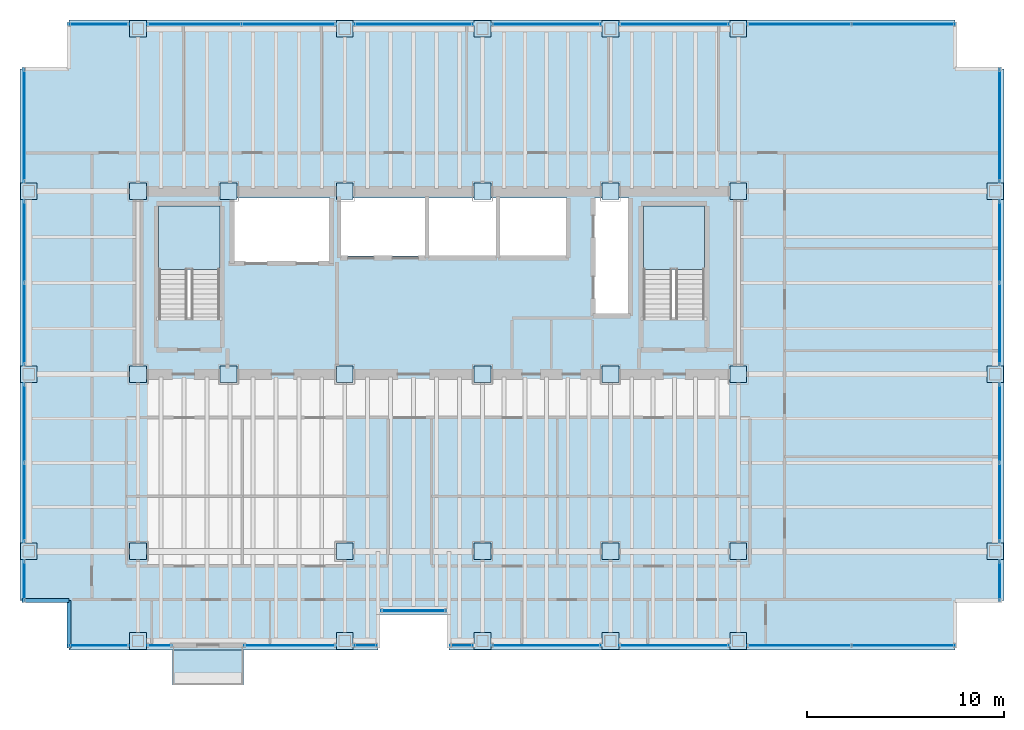
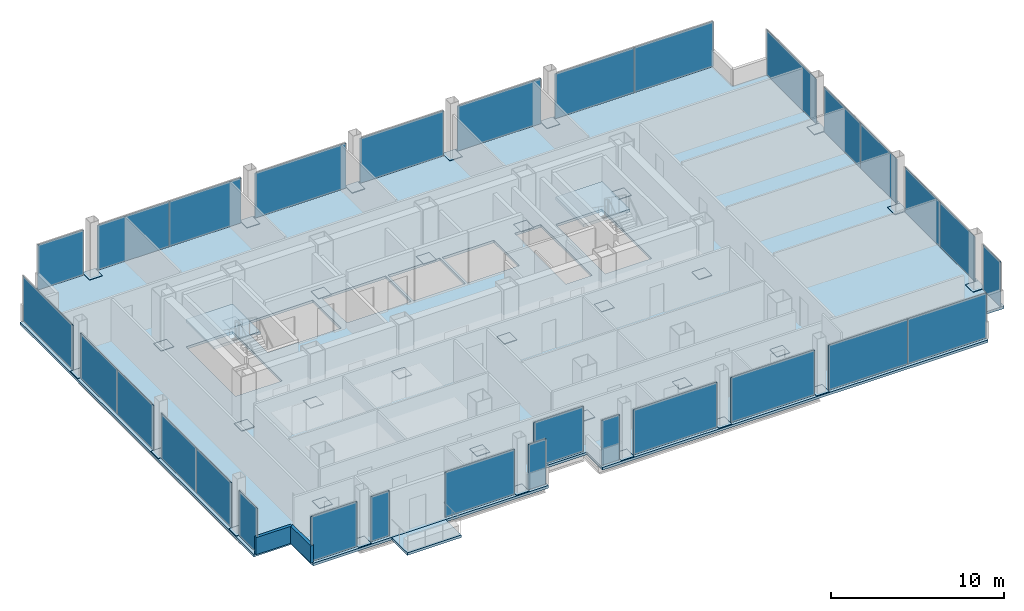
# One storey, part 16 of 20: 63 plates, 4 slabs, 2 walls, 7 openings, 25 elements without a shape of their own.
"""IFC4 building model written with IfcOpenShell, lengths in metres."""

from ifc_helpers import new_model, si_unit, direction, frame, frame_2d, origin, origin_2d, place, context, subcontext, project, spatial, polyline, rectangle, outline, extrude, material, layer, layer_set, type_object, element, aggregate, save


model = new_model("IFC4")

# Units and contexts
model_context = context("Model", 3, precision=1e-05, world=origin(), true_north=direction((0.0, 1.0)))
body_context = subcontext(model_context, "Body", "Model", "MODEL_VIEW")
ifc_project = project(units=[si_unit("LENGTHUNIT", "METRE"), si_unit("AREAUNIT", "SQUARE_METRE"), si_unit("VOLUMEUNIT", "CUBIC_METRE"), si_unit("PLANEANGLEUNIT", "RADIAN"), si_unit("MASSUNIT", "GRAM", prefix="KILO")], contexts=[model_context])

# Site, building, storey
site_placement = place(None, origin())
site = spatial("IfcSite", under=ifc_project, at=site_placement, CompositionType="ELEMENT")
building_placement = place(site_placement, origin())
building = spatial("IfcBuilding", under=site, at=building_placement, Name="Noeulbin Bourse Tower", CompositionType="ELEMENT")
storey_placement = place(building_placement, frame((0.0, 0.0, 65.5)))
storey = spatial("IfcBuildingStorey", under=building, at=storey_placement, Name="L16", CompositionType="ELEMENT", Elevation=65.5)

# Curtain wall, plate
ifc_material_1 = material(Name="Dark Solar-Control Double Glazing", Category="glass")
curtain_wall_type = type_object("IfcCurtainWallType", Name="CW-SYS-2", PredefinedType="NOTDEFINED", material=ifc_material_1)
curtain_wall_1_placement = place(storey_placement, origin())
curtain_wall_1 = element("IfcCurtainWall", 1, at=curtain_wall_1_placement, inside=storey, type_object=curtain_wall_type, Name="Unitised Curtain Wall CW-L16-SREC", PredefinedType="NOTDEFINED")
ifc_layer_1 = layer(ifc_material_1, 0.035888671875)
ifc_layer_set_1 = layer_set([ifc_layer_1], Name="Dark Solar-Control Double Glazing")
plate_type_1 = type_object("IfcPlateType", Name="CW-SYS-2-PNL", PredefinedType="CURTAIN_PANEL", material=ifc_layer_set_1)
plate_1_placement = place(storey_placement, frame((27.5, 16.97998046875, 0.0), z_axis=(0.0, 0.0, 1.0), x_axis=(1.0, 0.0, 0.0)))
plate_1 = element("IfcPlate", 2, at=plate_1_placement, type_object=plate_type_1, Name="Glazed Curtain Panel CW-L16-SREC-P00", PredefinedType="CURTAIN_PANEL", context=body_context, shape_type="SweptSolid", body=[
    extrude(rectangle(XDim=3.300048828125, YDim=0.035888671875, at=origin_2d()), origin(), (0.0, 0.0, 1.0), 3.179931640625),
])
aggregate(curtain_wall_1, [plate_1])

curtain_wall_2_placement = place(storey_placement, origin())
curtain_wall_2 = element("IfcCurtainWall", 3, at=curtain_wall_2_placement, inside=storey, type_object=curtain_wall_type, Name="Unitised Curtain Wall CW-L16-S1-S1", PredefinedType="NOTDEFINED")
plate_2_placement = place(storey_placement, frame((11.510009765625, 15.219970703125, 0.0), z_axis=(0.0, 0.0, 1.0), x_axis=(1.0, 0.0, 0.0)))
plate_2 = element("IfcPlate", 4, at=plate_2_placement, type_object=plate_type_1, Name="Glazed Curtain Panel CW-L16-S1-S1-P00", PredefinedType="CURTAIN_PANEL", context=body_context, shape_type="SweptSolid", body=[
    extrude(rectangle(XDim=3.06005859375, YDim=0.035888671875, at=origin_2d()), origin(), (0.0, 0.0, 1.0), 3.179931640625),
])
aggregate(curtain_wall_2, [plate_2])

curtain_wall_3_placement = place(storey_placement, origin())
curtain_wall_3 = element("IfcCurtainWall", 5, at=curtain_wall_3_placement, inside=storey, type_object=curtain_wall_type, Name="Unitised Curtain Wall CW-L16-S1-S2", PredefinedType="NOTDEFINED")
plate_3_placement = place(storey_placement, frame((14.580078125, 15.219970703125, 0.0), z_axis=(0.0, 0.0, 1.0), x_axis=(1.0, 0.0, 0.0)))
plate_3 = element("IfcPlate", 6, at=plate_3_placement, type_object=plate_type_1, Name="Glazed Curtain Panel CW-L16-S1-S2-P00", PredefinedType="CURTAIN_PANEL", context=body_context, shape_type="SweptSolid", body=[
    extrude(rectangle(XDim=1.239990234375, YDim=0.035888671875, at=origin_2d()), origin(), (0.0, 0.0, 1.0), 3.179931640625),
])
aggregate(curtain_wall_3, [plate_3])

curtain_wall_4_placement = place(storey_placement, origin())
curtain_wall_4 = element("IfcCurtainWall", 7, at=curtain_wall_4_placement, inside=storey, type_object=curtain_wall_type, Name="Unitised Curtain Wall CW-L16-S2-S1", PredefinedType="NOTDEFINED")
plate_4_placement = place(storey_placement, frame((21.219970703125, 15.219970703125, 0.0), z_axis=(0.0, 0.0, 1.0), x_axis=(1.0, 0.0, 0.0)))
plate_4 = element("IfcPlate", 8, at=plate_4_placement, type_object=plate_type_1, Name="Glazed Curtain Panel CW-L16-S2-S1-P00", PredefinedType="CURTAIN_PANEL", context=body_context, shape_type="SweptSolid", body=[
    extrude(rectangle(XDim=4.639892578125, YDim=0.035888671875, at=origin_2d()), origin(), (0.0, 0.0, 1.0), 3.179931640625),
])
aggregate(curtain_wall_4, [plate_4])

curtain_wall_5_placement = place(storey_placement, origin())
curtain_wall_5 = element("IfcCurtainWall", 9, at=curtain_wall_5_placement, inside=storey, type_object=curtain_wall_type, Name="Unitised Curtain Wall CW-L16-S2-S2", PredefinedType="NOTDEFINED")
plate_5_placement = place(storey_placement, frame((25.054931640625, 15.219970703125, 0.0), z_axis=(0.0, 0.0, 1.0), x_axis=(1.0, 0.0, 0.0)))
plate_5 = element("IfcPlate", 10, at=plate_5_placement, type_object=plate_type_1, Name="Glazed Curtain Panel CW-L16-S2-S2-P00", PredefinedType="CURTAIN_PANEL", context=body_context, shape_type="SweptSolid", body=[
    extrude(rectangle(XDim=1.18994140625, YDim=0.035888671875, at=origin_2d()), origin(), (0.0, 0.0, 1.0), 3.179931640625),
])
aggregate(curtain_wall_5, [plate_5])

curtain_wall_6_placement = place(storey_placement, origin())
curtain_wall_6 = element("IfcCurtainWall", 11, at=curtain_wall_6_placement, inside=storey, type_object=curtain_wall_type, Name="Unitised Curtain Wall CW-L16-S3-S1", PredefinedType="NOTDEFINED")
plate_6_placement = place(storey_placement, frame((29.945068359375, 15.219970703125, 0.0), z_axis=(0.0, 0.0, 1.0), x_axis=(1.0, 0.0, 0.0)))
plate_6 = element("IfcPlate", 12, at=plate_6_placement, type_object=plate_type_1, Name="Glazed Curtain Panel CW-L16-S3-S1-P00", PredefinedType="CURTAIN_PANEL", context=body_context, shape_type="SweptSolid", body=[
    extrude(rectangle(XDim=1.18994140625, YDim=0.035888671875, at=origin_2d()), origin(), (0.0, 0.0, 1.0), 3.179931640625),
])
aggregate(curtain_wall_6, [plate_6])

curtain_wall_7_placement = place(storey_placement, origin())
curtain_wall_7 = element("IfcCurtainWall", 13, at=curtain_wall_7_placement, inside=storey, type_object=curtain_wall_type, Name="Unitised Curtain Wall CW-L16-S3-S2", PredefinedType="NOTDEFINED")
plate_7_placement = place(storey_placement, frame((34.25, 15.219970703125, 0.0), z_axis=(0.0, 0.0, 1.0), x_axis=(1.0, 0.0, 0.0)))
plate_7 = element("IfcPlate", 14, at=plate_7_placement, type_object=plate_type_1, Name="Glazed Curtain Panel CW-L16-S3-S2-P00", PredefinedType="CURTAIN_PANEL", context=body_context, shape_type="SweptSolid", body=[
    extrude(rectangle(XDim=5.580078125, YDim=0.035888671875, at=origin_2d()), origin(), (0.0, 0.0, 1.0), 3.179931640625),
])
aggregate(curtain_wall_7, [plate_7])

curtain_wall_8_placement = place(storey_placement, origin())
curtain_wall_8 = element("IfcCurtainWall", 15, at=curtain_wall_8_placement, inside=storey, type_object=curtain_wall_type, Name="Unitised Curtain Wall CW-L16-S3-S3", PredefinedType="NOTDEFINED")
plate_8_placement = place(storey_placement, frame((40.75, 15.219970703125, 0.0), z_axis=(0.0, 0.0, 1.0), x_axis=(1.0, 0.0, 0.0)))
plate_8 = element("IfcPlate", 16, at=plate_8_placement, type_object=plate_type_1, Name="Glazed Curtain Panel CW-L16-S3-S3-P00", PredefinedType="CURTAIN_PANEL", context=body_context, shape_type="SweptSolid", body=[
    extrude(rectangle(XDim=5.580078125, YDim=0.035888671875, at=origin_2d()), origin(), (0.0, 0.0, 1.0), 3.179931640625),
])
aggregate(curtain_wall_8, [plate_8])

# Curtain wall, plates
curtain_wall_9_placement = place(storey_placement, origin())
curtain_wall_9 = element("IfcCurtainWall", 17, at=curtain_wall_9_placement, inside=storey, type_object=curtain_wall_type, Name="Unitised Curtain Wall CW-L16-S3-S4", PredefinedType="NOTDEFINED")
plate_9_placement = place(storey_placement, frame((47.10009765625, 15.219970703125, 0.0), z_axis=(0.0, 0.0, 1.0), x_axis=(1.0, 0.0, 0.0)))
plate_9 = element("IfcPlate", 18, at=plate_9_placement, type_object=plate_type_1, Name="Glazed Curtain Panel CW-L16-S3-S4-P00", PredefinedType="CURTAIN_PANEL", context=body_context, shape_type="SweptSolid", body=[
    extrude(rectangle(XDim=5.280029296875, YDim=0.035888671875, at=origin_2d()), origin(), (0.0, 0.0, 1.0), 3.179931640625),
])
plate_10_placement = place(storey_placement, frame((52.3798828125, 15.219970703125, 0.0), z_axis=(0.0, 0.0, 1.0), x_axis=(1.0, 0.0, 0.0)))
plate_10 = element("IfcPlate", 19, at=plate_10_placement, type_object=plate_type_1, Name="Glazed Curtain Panel CW-L16-S3-S4-P01", PredefinedType="CURTAIN_PANEL", context=body_context, shape_type="SweptSolid", body=[
    extrude(rectangle(XDim=5.280029296875, YDim=0.035888671875, at=origin_2d()), origin(), (0.0, 0.0, 1.0), 3.179931640625),
])
aggregate(curtain_wall_9, [plate_9, plate_10])

# Curtain wall, plate
curtain_wall_10_placement = place(storey_placement, origin())
curtain_wall_10 = element("IfcCurtainWall", 20, at=curtain_wall_10_placement, inside=storey, type_object=curtain_wall_type, Name="Unitised Curtain Wall CW-L16-N-S1", PredefinedType="NOTDEFINED")
plate_11_placement = place(storey_placement, frame((11.510009765625, 46.780029296875, 0.0), z_axis=(0.0, 0.0, 1.0), x_axis=(1.0, 0.0, 0.0)))
plate_11 = element("IfcPlate", 21, at=plate_11_placement, type_object=plate_type_1, Name="Glazed Curtain Panel CW-L16-N-S1-P00", PredefinedType="CURTAIN_PANEL", context=body_context, shape_type="SweptSolid", body=[
    extrude(rectangle(XDim=3.06005859375, YDim=0.035888671875, at=origin_2d()), origin(), (0.0, 0.0, 1.0), 3.179931640625),
])
aggregate(curtain_wall_10, [plate_11])

# Curtain wall, plates
curtain_wall_11_placement = place(storey_placement, origin())
curtain_wall_11 = element("IfcCurtainWall", 22, at=curtain_wall_11_placement, inside=storey, type_object=curtain_wall_type, Name="Unitised Curtain Wall CW-L16-N-S2", PredefinedType="NOTDEFINED")
plate_12_placement = place(storey_placement, frame((16.35498046875, 46.780029296875, 0.0), z_axis=(0.0, 0.0, 1.0), x_axis=(1.0, 0.0, 0.0)))
plate_12 = element("IfcPlate", 23, at=plate_12_placement, type_object=plate_type_1, Name="Glazed Curtain Panel CW-L16-N-S2-P00", PredefinedType="CURTAIN_PANEL", context=body_context, shape_type="SweptSolid", body=[
    extrude(rectangle(XDim=4.7900390625, YDim=0.035888671875, at=origin_2d()), origin(), (0.0, 0.0, 1.0), 3.179931640625),
])
plate_13_placement = place(storey_placement, frame((21.14501953125, 46.780029296875, 0.0), z_axis=(0.0, 0.0, 1.0), x_axis=(1.0, 0.0, 0.0)))
plate_13 = element("IfcPlate", 24, at=plate_13_placement, type_object=plate_type_1, Name="Glazed Curtain Panel CW-L16-N-S2-P01", PredefinedType="CURTAIN_PANEL", context=body_context, shape_type="SweptSolid", body=[
    extrude(rectangle(XDim=4.7900390625, YDim=0.035888671875, at=origin_2d()), origin(), (0.0, 0.0, 1.0), 3.179931640625),
])
aggregate(curtain_wall_11, [plate_12, plate_13])

# Curtain wall, plate
curtain_wall_12_placement = place(storey_placement, origin())
curtain_wall_12 = element("IfcCurtainWall", 25, at=curtain_wall_12_placement, inside=storey, type_object=curtain_wall_type, Name="Unitised Curtain Wall CW-L16-N-S3", PredefinedType="NOTDEFINED")
plate_14_placement = place(storey_placement, frame((27.5, 46.780029296875, 0.0), z_axis=(0.0, 0.0, 1.0), x_axis=(1.0, 0.0, 0.0)))
plate_14 = element("IfcPlate", 26, at=plate_14_placement, type_object=plate_type_1, Name="Glazed Curtain Panel CW-L16-N-S3-P00", PredefinedType="CURTAIN_PANEL", context=body_context, shape_type="SweptSolid", body=[
    extrude(rectangle(XDim=6.080078125, YDim=0.035888671875, at=origin_2d()), origin(), (0.0, 0.0, 1.0), 3.179931640625),
])
aggregate(curtain_wall_12, [plate_14])

curtain_wall_13_placement = place(storey_placement, origin())
curtain_wall_13 = element("IfcCurtainWall", 27, at=curtain_wall_13_placement, inside=storey, type_object=curtain_wall_type, Name="Unitised Curtain Wall CW-L16-N-S4", PredefinedType="NOTDEFINED")
plate_15_placement = place(storey_placement, frame((34.25, 46.780029296875, 0.0), z_axis=(0.0, 0.0, 1.0), x_axis=(1.0, 0.0, 0.0)))
plate_15 = element("IfcPlate", 28, at=plate_15_placement, type_object=plate_type_1, Name="Glazed Curtain Panel CW-L16-N-S4-P00", PredefinedType="CURTAIN_PANEL", context=body_context, shape_type="SweptSolid", body=[
    extrude(rectangle(XDim=5.580078125, YDim=0.035888671875, at=origin_2d()), origin(), (0.0, 0.0, 1.0), 3.179931640625),
])
aggregate(curtain_wall_13, [plate_15])

curtain_wall_14_placement = place(storey_placement, origin())
curtain_wall_14 = element("IfcCurtainWall", 29, at=curtain_wall_14_placement, inside=storey, type_object=curtain_wall_type, Name="Unitised Curtain Wall CW-L16-N-S5", PredefinedType="NOTDEFINED")
plate_16_placement = place(storey_placement, frame((40.75, 46.780029296875, 0.0), z_axis=(0.0, 0.0, 1.0), x_axis=(1.0, 0.0, 0.0)))
plate_16 = element("IfcPlate", 30, at=plate_16_placement, type_object=plate_type_1, Name="Glazed Curtain Panel CW-L16-N-S5-P00", PredefinedType="CURTAIN_PANEL", context=body_context, shape_type="SweptSolid", body=[
    extrude(rectangle(XDim=5.580078125, YDim=0.035888671875, at=origin_2d()), origin(), (0.0, 0.0, 1.0), 3.179931640625),
])
aggregate(curtain_wall_14, [plate_16])

# Curtain wall, plates
curtain_wall_15_placement = place(storey_placement, origin())
curtain_wall_15 = element("IfcCurtainWall", 31, at=curtain_wall_15_placement, inside=storey, type_object=curtain_wall_type, Name="Unitised Curtain Wall CW-L16-N-S6", PredefinedType="NOTDEFINED")
plate_17_placement = place(storey_placement, frame((47.10009765625, 46.780029296875, 0.0), z_axis=(0.0, 0.0, 1.0), x_axis=(1.0, 0.0, 0.0)))
plate_17 = element("IfcPlate", 32, at=plate_17_placement, type_object=plate_type_1, Name="Glazed Curtain Panel CW-L16-N-S6-P00", PredefinedType="CURTAIN_PANEL", context=body_context, shape_type="SweptSolid", body=[
    extrude(rectangle(XDim=5.280029296875, YDim=0.035888671875, at=origin_2d()), origin(), (0.0, 0.0, 1.0), 3.179931640625),
])
plate_18_placement = place(storey_placement, frame((52.3798828125, 46.780029296875, 0.0), z_axis=(0.0, 0.0, 1.0), x_axis=(1.0, 0.0, 0.0)))
plate_18 = element("IfcPlate", 33, at=plate_18_placement, type_object=plate_type_1, Name="Glazed Curtain Panel CW-L16-N-S6-P01", PredefinedType="CURTAIN_PANEL", context=body_context, shape_type="SweptSolid", body=[
    extrude(rectangle(XDim=5.280029296875, YDim=0.035888671875, at=origin_2d()), origin(), (0.0, 0.0, 1.0), 3.179931640625),
])
aggregate(curtain_wall_15, [plate_17, plate_18])

# Curtain wall, plate
curtain_wall_16_placement = place(storey_placement, origin())
curtain_wall_16 = element("IfcCurtainWall", 34, at=curtain_wall_16_placement, inside=storey, type_object=curtain_wall_type, Name="Unitised Curtain Wall CW-L16-W-S1", PredefinedType="NOTDEFINED")
plate_19_placement = place(storey_placement, frame((7.719970703125, 18.510009765625, 0.0), z_axis=(0.0, 0.0, 1.0), x_axis=(0.0, 1.0, 0.0)))
plate_19 = element("IfcPlate", 35, at=plate_19_placement, type_object=plate_type_1, Name="Glazed Curtain Panel CW-L16-W-S1-P00", PredefinedType="CURTAIN_PANEL", context=body_context, shape_type="SweptSolid", body=[
    extrude(rectangle(XDim=2.06005859375, YDim=0.035888671875, at=origin_2d()), origin(), (0.0, 0.0, 1.0), 3.179931640625),
])
aggregate(curtain_wall_16, [plate_19])

# Curtain wall, plates
curtain_wall_17_placement = place(storey_placement, origin())
curtain_wall_17 = element("IfcCurtainWall", 36, at=curtain_wall_17_placement, inside=storey, type_object=curtain_wall_type, Name="Unitised Curtain Wall CW-L16-W-S2", PredefinedType="NOTDEFINED")
plate_20_placement = place(storey_placement, frame((7.719970703125, 22.47998046875, 0.0), z_axis=(0.0, 0.0, 1.0), x_axis=(0.0, 1.0, 0.0)))
plate_20 = element("IfcPlate", 37, at=plate_20_placement, type_object=plate_type_1, Name="Glazed Curtain Panel CW-L16-W-S2-P00", PredefinedType="CURTAIN_PANEL", context=body_context, shape_type="SweptSolid", body=[
    extrude(rectangle(XDim=4.0400390625, YDim=0.035888671875, at=origin_2d()), origin(), (0.0, 0.0, 1.0), 3.179931640625),
])
plate_21_placement = place(storey_placement, frame((7.719970703125, 26.52001953125, 0.0), z_axis=(0.0, 0.0, 1.0), x_axis=(0.0, 1.0, 0.0)))
plate_21 = element("IfcPlate", 38, at=plate_21_placement, type_object=plate_type_1, Name="Glazed Curtain Panel CW-L16-W-S2-P01", PredefinedType="CURTAIN_PANEL", context=body_context, shape_type="SweptSolid", body=[
    extrude(rectangle(XDim=4.0400390625, YDim=0.035888671875, at=origin_2d()), origin(), (0.0, 0.0, 1.0), 3.179931640625),
])
aggregate(curtain_wall_17, [plate_20, plate_21])

curtain_wall_18_placement = place(storey_placement, origin())
curtain_wall_18 = element("IfcCurtainWall", 39, at=curtain_wall_18_placement, inside=storey, type_object=curtain_wall_type, Name="Unitised Curtain Wall CW-L16-W-S3", PredefinedType="NOTDEFINED")
plate_22_placement = place(storey_placement, frame((7.719970703125, 31.554931640625, 0.0), z_axis=(0.0, 0.0, 1.0), x_axis=(0.0, 1.0, 0.0)))
plate_22 = element("IfcPlate", 40, at=plate_22_placement, type_object=plate_type_1, Name="Glazed Curtain Panel CW-L16-W-S3-P00", PredefinedType="CURTAIN_PANEL", context=body_context, shape_type="SweptSolid", body=[
    extrude(rectangle(XDim=4.18994140625, YDim=0.035888671875, at=origin_2d()), origin(), (0.0, 0.0, 1.0), 3.179931640625),
])
plate_23_placement = place(storey_placement, frame((7.719970703125, 35.7451171875, 0.0), z_axis=(0.0, 0.0, 1.0), x_axis=(0.0, 1.0, 0.0)))
plate_23 = element("IfcPlate", 41, at=plate_23_placement, type_object=plate_type_1, Name="Glazed Curtain Panel CW-L16-W-S3-P01", PredefinedType="CURTAIN_PANEL", context=body_context, shape_type="SweptSolid", body=[
    extrude(rectangle(XDim=4.18994140625, YDim=0.035888671875, at=origin_2d()), origin(), (0.0, 0.0, 1.0), 3.179931640625),
])
aggregate(curtain_wall_18, [plate_22, plate_23])

# Curtain wall, plate
curtain_wall_19_placement = place(storey_placement, origin())
curtain_wall_19 = element("IfcCurtainWall", 42, at=curtain_wall_19_placement, inside=storey, type_object=curtain_wall_type, Name="Unitised Curtain Wall CW-L16-W-S4", PredefinedType="NOTDEFINED")
plate_24_placement = place(storey_placement, frame((7.719970703125, 41.639892578125, 0.0), z_axis=(0.0, 0.0, 1.0), x_axis=(0.0, 1.0, 0.0)))
plate_24 = element("IfcPlate", 43, at=plate_24_placement, type_object=plate_type_1, Name="Glazed Curtain Panel CW-L16-W-S4-P00", PredefinedType="CURTAIN_PANEL", context=body_context, shape_type="SweptSolid", body=[
    extrude(rectangle(XDim=5.760009765625, YDim=0.035888671875, at=origin_2d()), origin(), (0.0, 0.0, 1.0), 3.179931640625),
])
aggregate(curtain_wall_19, [plate_24])

curtain_wall_20_placement = place(storey_placement, origin())
curtain_wall_20 = element("IfcCurtainWall", 44, at=curtain_wall_20_placement, inside=storey, type_object=curtain_wall_type, Name="Unitised Curtain Wall CW-L16-E-S1", PredefinedType="NOTDEFINED")
plate_25_placement = place(storey_placement, frame((57.280029296875, 18.510009765625, 0.0), z_axis=(0.0, 0.0, 1.0), x_axis=(0.0, 1.0, 0.0)))
plate_25 = element("IfcPlate", 45, at=plate_25_placement, type_object=plate_type_1, Name="Glazed Curtain Panel CW-L16-E-S1-P00", PredefinedType="CURTAIN_PANEL", context=body_context, shape_type="SweptSolid", body=[
    extrude(rectangle(XDim=2.06005859375, YDim=0.035888671875, at=origin_2d()), origin(), (0.0, 0.0, 1.0), 3.179931640625),
])
aggregate(curtain_wall_20, [plate_25])

# Curtain wall, plates
curtain_wall_21_placement = place(storey_placement, origin())
curtain_wall_21 = element("IfcCurtainWall", 46, at=curtain_wall_21_placement, inside=storey, type_object=curtain_wall_type, Name="Unitised Curtain Wall CW-L16-E-S2", PredefinedType="NOTDEFINED")
plate_26_placement = place(storey_placement, frame((57.280029296875, 22.47998046875, 0.0), z_axis=(0.0, 0.0, 1.0), x_axis=(0.0, 1.0, 0.0)))
plate_26 = element("IfcPlate", 47, at=plate_26_placement, type_object=plate_type_1, Name="Glazed Curtain Panel CW-L16-E-S2-P00", PredefinedType="CURTAIN_PANEL", context=body_context, shape_type="SweptSolid", body=[
    extrude(rectangle(XDim=4.0400390625, YDim=0.035888671875, at=origin_2d()), origin(), (0.0, 0.0, 1.0), 3.179931640625),
])
plate_27_placement = place(storey_placement, frame((57.280029296875, 26.52001953125, 0.0), z_axis=(0.0, 0.0, 1.0), x_axis=(0.0, 1.0, 0.0)))
plate_27 = element("IfcPlate", 48, at=plate_27_placement, type_object=plate_type_1, Name="Glazed Curtain Panel CW-L16-E-S2-P01", PredefinedType="CURTAIN_PANEL", context=body_context, shape_type="SweptSolid", body=[
    extrude(rectangle(XDim=4.0400390625, YDim=0.035888671875, at=origin_2d()), origin(), (0.0, 0.0, 1.0), 3.179931640625),
])
aggregate(curtain_wall_21, [plate_26, plate_27])

curtain_wall_22_placement = place(storey_placement, origin())
curtain_wall_22 = element("IfcCurtainWall", 49, at=curtain_wall_22_placement, inside=storey, type_object=curtain_wall_type, Name="Unitised Curtain Wall CW-L16-E-S3", PredefinedType="NOTDEFINED")
plate_28_placement = place(storey_placement, frame((57.280029296875, 31.554931640625, 0.0), z_axis=(0.0, 0.0, 1.0), x_axis=(0.0, 1.0, 0.0)))
plate_28 = element("IfcPlate", 50, at=plate_28_placement, type_object=plate_type_1, Name="Glazed Curtain Panel CW-L16-E-S3-P00", PredefinedType="CURTAIN_PANEL", context=body_context, shape_type="SweptSolid", body=[
    extrude(rectangle(XDim=4.18994140625, YDim=0.035888671875, at=origin_2d()), origin(), (0.0, 0.0, 1.0), 3.179931640625),
])
plate_29_placement = place(storey_placement, frame((57.280029296875, 35.7451171875, 0.0), z_axis=(0.0, 0.0, 1.0), x_axis=(0.0, 1.0, 0.0)))
plate_29 = element("IfcPlate", 51, at=plate_29_placement, type_object=plate_type_1, Name="Glazed Curtain Panel CW-L16-E-S3-P01", PredefinedType="CURTAIN_PANEL", context=body_context, shape_type="SweptSolid", body=[
    extrude(rectangle(XDim=4.18994140625, YDim=0.035888671875, at=origin_2d()), origin(), (0.0, 0.0, 1.0), 3.179931640625),
])
aggregate(curtain_wall_22, [plate_28, plate_29])

# Curtain wall, plate
curtain_wall_23_placement = place(storey_placement, origin())
curtain_wall_23 = element("IfcCurtainWall", 52, at=curtain_wall_23_placement, inside=storey, type_object=curtain_wall_type, Name="Unitised Curtain Wall CW-L16-E-S4", PredefinedType="NOTDEFINED")
plate_30_placement = place(storey_placement, frame((57.280029296875, 41.639892578125, 0.0), z_axis=(0.0, 0.0, 1.0), x_axis=(0.0, 1.0, 0.0)))
plate_30 = element("IfcPlate", 53, at=plate_30_placement, type_object=plate_type_1, Name="Glazed Curtain Panel CW-L16-E-S4-P00", PredefinedType="CURTAIN_PANEL", context=body_context, shape_type="SweptSolid", body=[
    extrude(rectangle(XDim=5.760009765625, YDim=0.035888671875, at=origin_2d()), origin(), (0.0, 0.0, 1.0), 3.179931640625),
])
aggregate(curtain_wall_23, [plate_30])

# Plates
ifc_material_2 = material(Name="Steel S355", Category="steel")
ifc_layer_2 = layer(ifc_material_2, 0.030029296875)
ifc_layer_set_2 = layer_set([ifc_layer_2], Name="Steel S355")
plate_type_2 = type_object("IfcPlateType", Name="PLT-BN1", PredefinedType="USERDEFINED", material=ifc_layer_set_2)
for number, where, z_axis, x_axis, name in (
    (54, (13.5, 29.0, 0.0048828125), (0.0, 0.0, 1.0), (1.0, 0.0, 0.0), "Mega-Column Splice Plate BN1-L16-01"),
    (55, (13.5, 38.300048828125, 0.0048828125), (0.0, 0.0, 1.0), (1.0, 0.0, 0.0), "Mega-Column Splice Plate BN1-L16-02"),
    (56, (18.10009765625, 29.0, 0.0048828125), (0.0, 0.0, 1.0), (1.0, 0.0, 0.0), "Mega-Column Splice Plate BN1-L16-03"),
    (57, (18.10009765625, 38.300048828125, 0.0048828125), (0.0, 0.0, 1.0), (1.0, 0.0, 0.0), "Mega-Column Splice Plate BN1-L16-04"),
    (58, (24.0, 29.0, 0.0048828125), (0.0, 0.0, 1.0), (1.0, 0.0, 0.0), "Mega-Column Splice Plate BN1-L16-05"),
    (59, (24.0, 38.300048828125, 0.0048828125), (0.0, 0.0, 1.0), (1.0, 0.0, 0.0), "Mega-Column Splice Plate BN1-L16-06"),
    (60, (31.0, 29.0, 0.0048828125), (0.0, 0.0, 1.0), (1.0, 0.0, 0.0), "Mega-Column Splice Plate BN1-L16-07"),
    (61, (31.0, 38.300048828125, 0.0048828125), (0.0, 0.0, 1.0), (1.0, 0.0, 0.0), "Mega-Column Splice Plate BN1-L16-08"),
    (62, (37.5, 29.0, 0.0048828125), (0.0, 0.0, 1.0), (1.0, 0.0, 0.0), "Mega-Column Splice Plate BN1-L16-09"),
    (63, (37.5, 38.300048828125, 0.0048828125), (0.0, 0.0, 1.0), (1.0, 0.0, 0.0), "Mega-Column Splice Plate BN1-L16-10"),
    (64, (44.0, 29.0, 0.0048828125), (0.0, 0.0, 1.0), (1.0, 0.0, 0.0), "Mega-Column Splice Plate BN1-L16-11"),
    (65, (44.0, 38.300048828125, 0.0048828125), (0.0, 0.0, 1.0), (1.0, 0.0, 0.0), "Mega-Column Splice Plate BN1-L16-12"),
    (66, (13.5, 20.0, 0.0048828125), (0.0, 0.0, 1.0), (1.0, 0.0, 0.0), "Mega-Column Splice Plate BN1-L16-13"),
    (67, (24.0, 20.0, 0.0048828125), (0.0, 0.0, 1.0), (1.0, 0.0, 0.0), "Mega-Column Splice Plate BN1-L16-14"),
    (68, (31.0, 20.0, 0.0048828125), (0.0, 0.0, 1.0), (1.0, 0.0, 0.0), "Mega-Column Splice Plate BN1-L16-15"),
    (69, (37.5, 20.0, 0.0048828125), (0.0, 0.0, 1.0), (1.0, 0.0, 0.0), "Mega-Column Splice Plate BN1-L16-16"),
    (70, (44.0, 20.0, 0.0048828125), (0.0, 0.0, 1.0), (1.0, 0.0, 0.0), "Mega-Column Splice Plate BN1-L16-17"),
    (71, (7.949951171875, 20.0, 0.0048828125), (0.0, 0.0, 1.0), (1.0, 0.0, 0.0), "Perimeter Column Splice Plate BN1-L16-01"),
    (72, (7.949951171875, 29.0, 0.0048828125), (0.0, 0.0, 1.0), (1.0, 0.0, 0.0), "Perimeter Column Splice Plate BN1-L16-02"),
    (73, (7.949951171875, 38.300048828125, 0.0048828125), (0.0, 0.0, 1.0), (1.0, 0.0, 0.0), "Perimeter Column Splice Plate BN1-L16-03"),
    (74, (13.5, 15.449951171875, 0.0048828125), (0.0, 0.0, 1.0), (1.0, 0.0, 0.0), "Perimeter Column Splice Plate BN1-L16-04"),
    (75, (13.5, 46.550048828125, 0.0048828125), (0.0, 0.0, 1.0), (1.0, 0.0, 0.0), "Perimeter Column Splice Plate BN1-L16-05"),
    (76, (24.0, 15.449951171875, 0.0048828125), (0.0, 0.0, 1.0), (1.0, 0.0, 0.0), "Perimeter Column Splice Plate BN1-L16-06"),
    (77, (24.0, 46.550048828125, 0.0048828125), (0.0, 0.0, 1.0), (1.0, 0.0, 0.0), "Perimeter Column Splice Plate BN1-L16-07"),
    (78, (31.0, 15.449951171875, 0.0048828125), (0.0, 0.0, 1.0), (1.0, 0.0, 0.0), "Perimeter Column Splice Plate BN1-L16-08"),
    (79, (31.0, 46.550048828125, 0.0048828125), (0.0, 0.0, 1.0), (1.0, 0.0, 0.0), "Perimeter Column Splice Plate BN1-L16-09"),
    (80, (37.5, 15.449951171875, 0.0048828125), (0.0, 0.0, 1.0), (1.0, 0.0, 0.0), "Perimeter Column Splice Plate BN1-L16-10"),
    (81, (37.5, 46.550048828125, 0.0048828125), (0.0, 0.0, 1.0), (1.0, 0.0, 0.0), "Perimeter Column Splice Plate BN1-L16-11"),
    (82, (44.0, 15.449951171875, 0.0048828125), (0.0, 0.0, 1.0), (1.0, 0.0, 0.0), "Perimeter Column Splice Plate BN1-L16-12"),
    (83, (44.0, 46.550048828125, 0.0048828125), (0.0, 0.0, 1.0), (1.0, 0.0, 0.0), "Perimeter Column Splice Plate BN1-L16-13"),
    (84, (57.050048828125, 20.0, 0.0048828125), (0.0, 0.0, 1.0), (1.0, 0.0, 0.0), "Perimeter Column Splice Plate BN1-L16-14"),
    (85, (57.050048828125, 29.0, 0.0048828125), (0.0, 0.0, 1.0), (1.0, 0.0, 0.0), "Perimeter Column Splice Plate BN1-L16-15"),
    (86, (57.050048828125, 38.300048828125, 0.0048828125), (0.0, 0.0, 1.0), (1.0, 0.0, 0.0), "Perimeter Column Splice Plate BN1-L16-16"),
):
    element("IfcPlate", number, at=place(storey_placement, frame(where, z_axis=z_axis, x_axis=x_axis)), inside=storey, type_object=plate_type_2, Name=name, ObjectType="SPLICE PLATE", PredefinedType="USERDEFINED", context=body_context, shape_type="SweptSolid", body=[
        extrude(rectangle(XDim=0.85009765625, YDim=0.85009765625, at=origin_2d()), origin(), (0.0, 0.0, 1.0), 0.030029296875),
    ])

# Stair, slab
ifc_material_3 = material(Name="Concrete C40/50", Category="concrete")
stair_type = type_object("IfcStairType", Name="STR-CORE-1560", PredefinedType="HALF_TURN_STAIR", material=ifc_material_3)
stair_1_placement = place(storey_placement, origin())
stair_1 = element("IfcStair", 87, at=stair_1_placement, inside=storey, type_object=stair_type, Name="L16 ST-1", PredefinedType="HALF_TURN_STAIR")
ifc_layer_3 = layer(ifc_material_3, 0.199951171875)
ifc_layer_set_3 = layer_set([ifc_layer_3], Name="Concrete C40/50")
slab_type_1 = type_object("IfcSlabType", Name="SLB-LND-200", PredefinedType="LANDING", material=ifc_layer_set_3)
slab_1_placement = place(storey_placement, frame((0.0, 0.0, 1.75)))
slab_1 = element("IfcSlab", 88, at=slab_1_placement, type_object=slab_type_1, Name="ST-1 landing 1", PredefinedType="LANDING", context=body_context, shape_type="SweptSolid", body=[
    extrude(outline(polyline([(17.64990234375, 34.330078125), (17.64990234375, 37.5439453125), (14.550048828125, 37.5439453125), (14.550048828125, 34.330078125), (17.64990234375, 34.330078125)])), origin(), (0.0, 0.0, 1.0), 0.199951171875),
])
aggregate(stair_1, [slab_1])

stair_2_placement = place(storey_placement, origin())
stair_2 = element("IfcStair", 89, at=stair_2_placement, inside=storey, type_object=stair_type, Name="L16 ST-2", PredefinedType="HALF_TURN_STAIR")
slab_2_placement = place(storey_placement, frame((0.0, 0.0, 1.75)))
slab_2 = element("IfcSlab", 90, at=slab_2_placement, type_object=slab_type_1, Name="ST-2 landing 1", PredefinedType="LANDING", context=body_context, shape_type="SweptSolid", body=[
    extrude(outline(polyline([(42.280029296875, 34.330078125), (42.280029296875, 37.5439453125), (39.179931640625, 37.5439453125), (39.179931640625, 34.330078125), (42.280029296875, 34.330078125)])), origin(), (0.0, 0.0, 1.0), 0.199951171875),
])
aggregate(stair_2, [slab_2])

# Slab, openings
ifc_layer_4 = layer(ifc_material_3, 0.179931640625)
ifc_layer_set_4 = layer_set([ifc_layer_4], Name="Concrete C40/50")
slab_type_2 = type_object("IfcSlabType", Name="SLB-TYP-180", PredefinedType="FLOOR", material=ifc_layer_set_4)
slab_3_placement = place(storey_placement, frame((0.0, 0.0, -0.179931640625)))
slab_3 = element("IfcSlab", 91, at=slab_3_placement, inside=storey, type_object=slab_type_2, Name="Tower Structural Floor Slab L16", PredefinedType="FLOOR", context=body_context, shape_type="SweptSolid", body=[
    extrude(outline(polyline([(10.0, 15.0), (25.699951171875, 15.0), (25.699951171875, 16.800048828125), (29.300048828125, 16.800048828125), (29.300048828125, 15.0), (55.0, 15.0), (55.0, 17.5), (57.5, 17.5), (57.5, 44.5), (55.0, 44.5), (55.0, 47.0), (10.0, 47.0), (10.0, 44.5), (7.5, 44.5), (7.5, 17.5), (10.0, 17.5), (10.0, 15.0)]), holes=[polyline([(17.64990234375, 31.81005859375), (17.64990234375, 37.5439453125), (14.550048828125, 37.5439453125), (14.550048828125, 31.81005859375), (17.64990234375, 31.81005859375)]), polyline([(42.280029296875, 31.81005859375), (42.280029296875, 37.5439453125), (39.179931640625, 37.5439453125), (39.179931640625, 31.81005859375), (42.280029296875, 31.81005859375)]), polyline([(18.35009765625, 34.699951171875), (23.25, 34.699951171875), (23.25, 37.949951171875), (18.35009765625, 37.949951171875), (18.35009765625, 34.699951171875)]), polyline([(36.699951171875, 32.050048828125), (38.449951171875, 32.050048828125), (38.449951171875, 37.949951171875), (36.699951171875, 37.949951171875), (36.699951171875, 32.050048828125)]), polyline([(23.800048828125, 35.0), (28.10009765625, 35.0), (28.10009765625, 37.949951171875), (23.800048828125, 37.949951171875), (23.800048828125, 35.0)]), polyline([(28.25, 35.0), (31.699951171875, 35.0), (31.699951171875, 37.949951171875), (28.25, 37.949951171875), (28.25, 35.0)]), polyline([(31.85009765625, 35.0), (35.300048828125, 35.0), (35.300048828125, 37.949951171875), (31.85009765625, 37.949951171875), (31.85009765625, 35.0)])]), origin(), (0.0, 0.0, 1.0), 0.179931640625),
])
opening_1_placement = place(slab_3_placement, frame((0.0, 0.0, -0.010009765625)))
element("IfcOpeningElement", 92, at=opening_1_placement, cuts=slab_3, Name="Slab Shaft Opening SLB-L16-TWR-1", PredefinedType="OPENING", context=body_context, shape_type="SweptSolid", body=[
    extrude(outline(polyline([(17.64990234375, 31.81005859375), (17.64990234375, 37.5439453125), (14.550048828125, 37.5439453125), (14.550048828125, 31.81005859375), (17.64990234375, 31.81005859375)])), origin(), (0.0, 0.0, 1.0), 0.199951171875),
])
opening_2_placement = place(slab_3_placement, frame((0.0, 0.0, -0.010009765625)))
element("IfcOpeningElement", 93, at=opening_2_placement, cuts=slab_3, Name="Slab Shaft Opening SLB-L16-TWR-2", PredefinedType="OPENING", context=body_context, shape_type="SweptSolid", body=[
    extrude(outline(polyline([(42.280029296875, 31.81005859375), (42.280029296875, 37.5439453125), (39.179931640625, 37.5439453125), (39.179931640625, 31.81005859375), (42.280029296875, 31.81005859375)])), origin(), (0.0, 0.0, 1.0), 0.199951171875),
])
opening_3_placement = place(slab_3_placement, frame((0.0, 0.0, -0.010009765625)))
element("IfcOpeningElement", 94, at=opening_3_placement, cuts=slab_3, Name="Slab Shaft Opening SLB-L16-TWR-3", PredefinedType="OPENING", context=body_context, shape_type="SweptSolid", body=[
    extrude(outline(polyline([(18.35009765625, 34.699951171875), (23.25, 34.699951171875), (23.25, 37.949951171875), (18.35009765625, 37.949951171875), (18.35009765625, 34.699951171875)])), origin(), (0.0, 0.0, 1.0), 0.199951171875),
])
opening_4_placement = place(slab_3_placement, frame((0.0, 0.0, -0.010009765625)))
element("IfcOpeningElement", 95, at=opening_4_placement, cuts=slab_3, Name="Slab Shaft Opening SLB-L16-TWR-4", PredefinedType="OPENING", context=body_context, shape_type="SweptSolid", body=[
    extrude(outline(polyline([(36.699951171875, 32.050048828125), (38.449951171875, 32.050048828125), (38.449951171875, 37.949951171875), (36.699951171875, 37.949951171875), (36.699951171875, 32.050048828125)])), origin(), (0.0, 0.0, 1.0), 0.199951171875),
])
opening_5_placement = place(slab_3_placement, frame((0.0, 0.0, -0.010009765625)))
element("IfcOpeningElement", 96, at=opening_5_placement, cuts=slab_3, Name="Slab Shaft Opening SLB-L16-TWR-5", PredefinedType="OPENING", context=body_context, shape_type="SweptSolid", body=[
    extrude(outline(polyline([(23.800048828125, 35.0), (28.10009765625, 35.0), (28.10009765625, 37.949951171875), (23.800048828125, 37.949951171875), (23.800048828125, 35.0)])), origin(), (0.0, 0.0, 1.0), 0.199951171875),
])
opening_6_placement = place(slab_3_placement, frame((0.0, 0.0, -0.010009765625)))
element("IfcOpeningElement", 97, at=opening_6_placement, cuts=slab_3, Name="Slab Shaft Opening SLB-L16-TWR-6", PredefinedType="OPENING", context=body_context, shape_type="SweptSolid", body=[
    extrude(outline(polyline([(28.25, 35.0), (31.699951171875, 35.0), (31.699951171875, 37.949951171875), (28.25, 37.949951171875), (28.25, 35.0)])), origin(), (0.0, 0.0, 1.0), 0.199951171875),
])
opening_7_placement = place(slab_3_placement, frame((0.0, 0.0, -0.010009765625)))
element("IfcOpeningElement", 98, at=opening_7_placement, cuts=slab_3, Name="Slab Shaft Opening SLB-L16-TWR-7", PredefinedType="OPENING", context=body_context, shape_type="SweptSolid", body=[
    extrude(outline(polyline([(31.85009765625, 35.0), (35.300048828125, 35.0), (35.300048828125, 37.949951171875), (31.85009765625, 37.949951171875), (31.85009765625, 35.0)])), origin(), (0.0, 0.0, 1.0), 0.199951171875),
])

# Slab
slab_4_placement = place(storey_placement, frame((0.0, 0.0, -0.179931640625)))
element("IfcSlab", 99, at=slab_4_placement, inside=storey, type_object=slab_type_2, Name="Cantilevered Tree-Balcony Slab L16", PredefinedType="FLOOR", context=body_context, shape_type="SweptSolid", body=[
    extrude(outline(polyline([(15.25, 13.199951171875), (18.85009765625, 13.199951171875), (18.85009765625, 15.0), (15.25, 15.0), (15.25, 13.199951171875)])), origin(), (0.0, 0.0, 1.0), 0.179931640625),
])

# Walls
ifc_layer_5 = layer(ifc_material_3, 0.199951171875)
ifc_layer_set_5 = layer_set([ifc_layer_5], Name="Concrete C40/50")
wall_type = type_object("IfcWallType", Name="WAL-PAR-200", PredefinedType="PARAPET", material=ifc_layer_set_5)
for number, where, z_axis, x_axis, name in (
    (100, (7.60009765625, 17.5, 0.0), (0.0, 0.0, 1.0), (1.0, 0.0, 0.0), "Corner Notch Parapet L16-SW1"),
    (101, (10.0, 17.5, 0.0), (0.0, 0.0, 1.0), (0.0, -1.0, 0.0), "Corner Notch Parapet L16-SW2"),
):
    element("IfcWall", number, at=place(storey_placement, frame(where, z_axis=z_axis, x_axis=x_axis)), inside=storey, type_object=wall_type, Name=name, PredefinedType="PARAPET", context=body_context, shape_type="SweptSolid", body=[
        extrude(rectangle(XDim=2.39990234375, YDim=0.199951171875, at=frame_2d((1.199951171875, 0.0))), origin(), (0.0, 0.0, 1.0), 1.199951171875),
    ])

save(model, "model.ifc")
